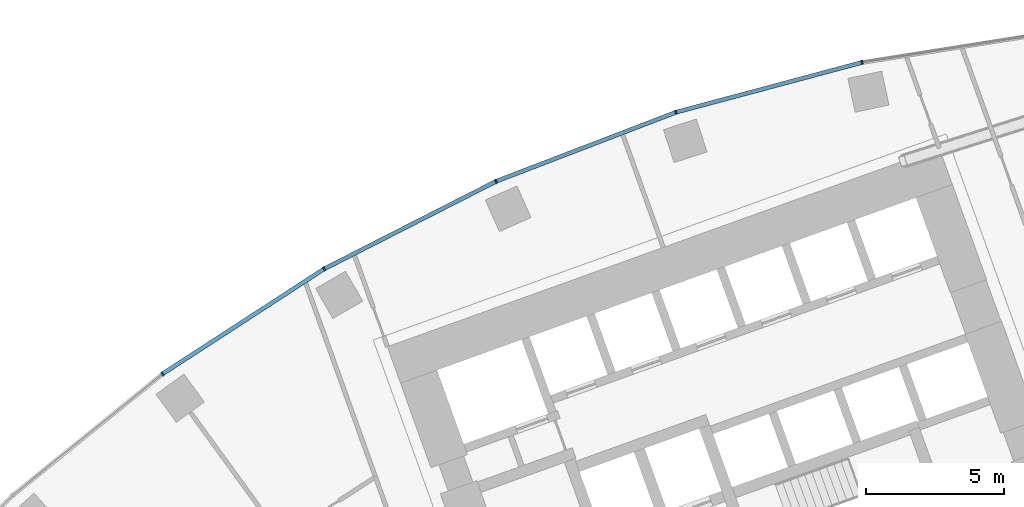
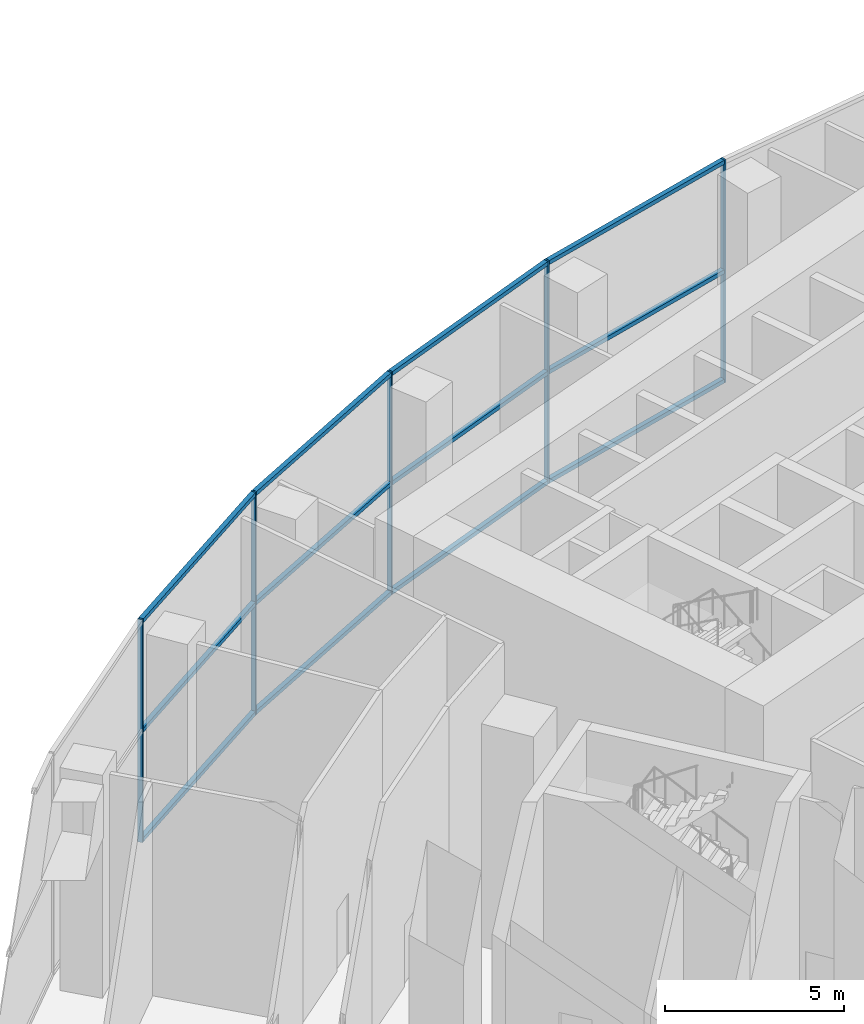
# One storey, part 7 of 33: 17 members, 1 element without a shape of its own.
"""IFC4 building model written with IfcOpenShell, lengths in metres."""

import ifcopenshell
import ifcopenshell.guid

model = None  # the IFC model being written
_history = None  # IfcOwnerHistory: only IFC2X3 demands one
_inside = {}  # id of a spatial element -> (the spatial element, [elements in it])
_under = {}  # id of a project, library or spatial element -> (it, [spatial elements below it])
_declared = {}  # id of a project -> (the project, [libraries it declares])
_typed = {}  # id of a type object -> (the type object, [elements of that type])
_made_of = {}  # id of a material, layer set ... -> (it, [elements and type objects made of it])


def new_model(schema):
    """Start an empty IFC model of exactly this schema.

    Asked for "IFC4X3", IfcOpenShell would pick the latest addendum, in which some entities
    have other attributes; the version numbers below select the first issue.
    IFC2X3 requires an IfcOwnerHistory on every rooted entity: one is made here for all.
    """
    global model, _history
    if schema == "IFC4X3":
        model = ifcopenshell.file(schema_version=(4, 3, 0, 0))
    else:
        model = ifcopenshell.file(schema=schema)
    _inside.clear()
    _under.clear()
    _declared.clear()
    _typed.clear()
    _made_of.clear()
    _history = None
    if model.schema == "IFC2X3":
        org = make("IfcOrganization", Name="unknown")
        user = make(
            "IfcPersonAndOrganization",
            ThePerson=make("IfcPerson", FamilyName="unknown"),
            TheOrganization=org,
        )
        app = make(
            "IfcApplication",
            ApplicationDeveloper=org,
            Version="unknown",
            ApplicationFullName="unknown",
            ApplicationIdentifier="unknown",
        )
        _history = make(
            "IfcOwnerHistory",
            OwningUser=user,
            OwningApplication=app,
            ChangeAction="ADDED",
            CreationDate=0,
        )
    return model


def make(cls, **values):
    """One entity of the class cls with the attributes given. An attribute that is None is left unset."""
    return model.create_entity(
        cls, **{name: value for name, value in values.items() if value is not None}
    )


def rooted(cls, **values):
    """An entity with a GlobalId (a new one), such as an element, a storey or a relation."""
    return make(cls, GlobalId=ifcopenshell.guid.new(), OwnerHistory=_history, **values)


def si_unit(unit_type, name, prefix=None):
    """IfcSIUnit, for example si_unit("LENGTHUNIT", "METRE", prefix="MILLI")."""
    return make("IfcSIUnit", UnitType=unit_type, Prefix=prefix, Name=name)


def assignment(units):
    """IfcUnitAssignment: the units of a project."""
    return None if units is None else make("IfcUnitAssignment", Units=units)


def point(xyz):
    """IfcCartesianPoint."""
    return None if xyz is None else make("IfcCartesianPoint", Coordinates=xyz)


def direction(xyz):
    """IfcDirection."""
    return None if xyz is None else make("IfcDirection", DirectionRatios=xyz)


def frame(location, z_axis=None, x_axis=None):
    """IfcAxis2Placement3D, a coordinate frame: its origin and axes. An axis left out is left unset."""
    return make(
        "IfcAxis2Placement3D",
        Location=point(location),
        Axis=direction(z_axis),
        RefDirection=direction(x_axis),
    )


def frame_2d(location, x_axis=None):
    """IfcAxis2Placement2D, a coordinate frame in the plane: its origin and x axis."""
    return make(
        "IfcAxis2Placement2D", Location=point(location), RefDirection=direction(x_axis)
    )


def origin():
    """The frame at (0, 0, 0) with its axes left unset."""
    return frame((0.0, 0.0, 0.0))


def origin_2d():
    """The frame at (0, 0) in the plane with its x axis left unset."""
    return frame_2d((0.0, 0.0))


def place(relative_to, where):
    """IfcLocalPlacement: puts the frame where relative to a parent placement (None: the world)."""
    return make(
        "IfcLocalPlacement", PlacementRelTo=relative_to, RelativePlacement=where
    )


def context(
    kind, dimensions, precision=None, world=None, true_north=None, identifier=None
):
    """IfcGeometricRepresentationContext, for example the 3D "Model" context."""
    return make(
        "IfcGeometricRepresentationContext",
        ContextIdentifier=identifier,
        ContextType=kind,
        CoordinateSpaceDimension=dimensions,
        Precision=precision,
        WorldCoordinateSystem=world,
        TrueNorth=true_north,
    )


def subcontext(parent, identifier, kind, view, scale=None):
    """IfcGeometricRepresentationSubContext, for example "Body" below "Model"."""
    return make(
        "IfcGeometricRepresentationSubContext",
        ContextIdentifier=identifier,
        ContextType=kind,
        ParentContext=parent,
        TargetScale=scale,
        TargetView=view,
    )


def project(units=None, contexts=None):
    """IfcProject with its units and contexts."""
    return rooted(
        "IfcProject",
        Name="project",
        RepresentationContexts=contexts,
        UnitsInContext=assignment(units),
    )


def spatial(cls, under=None, at=None, **own):
    """A site, building, storey or space (cls), placed at a placement, below another one or the project."""
    s = rooted(cls, ObjectPlacement=at, **own)
    if under is not None:
        _under.setdefault(under.id(), (under, []))[1].append(s)
    return s


def profile(cls, at=None, kind="AREA", **sizes):
    """A parametric profile (cls). Its sizes go by their IFC names, for example OverallWidth=200.0."""
    return make(cls, ProfileType=kind, Position=at, **sizes)


def rectangle(**sizes):
    """IfcRectangleProfileDef."""
    return profile("IfcRectangleProfileDef", **sizes)


def extrude(swept, where, along, depth):
    """IfcExtrudedAreaSolid: the profile swept, set in the frame where, extruded along a direction by depth."""
    return make(
        "IfcExtrudedAreaSolid",
        SweptArea=swept,
        Position=where,
        ExtrudedDirection=direction(along),
        Depth=depth,
    )


def shape(context_of_items, identifier, shape_type, items):
    """IfcShapeRepresentation: the items that make up one representation, for example the "Body"."""
    return make(
        "IfcShapeRepresentation",
        ContextOfItems=context_of_items,
        RepresentationIdentifier=identifier,
        RepresentationType=shape_type,
        Items=items,
    )


def material(Name=None, Category=None):
    """IfcMaterial."""
    return make("IfcMaterial", Name=Name, Category=Category)


def layer(
    of_material, thickness, ventilated=None, Name=None, Category=None, Priority=None
):
    """IfcMaterialLayer: one layer of a wall or slab, of a material (None: an air gap)."""
    return make(
        "IfcMaterialLayer",
        Material=of_material,
        LayerThickness=thickness,
        IsVentilated=ventilated,
        Name=Name,
        Category=Category,
        Priority=Priority,
    )


def layer_set(layers, Name=None):
    """IfcMaterialLayerSet."""
    return make("IfcMaterialLayerSet", MaterialLayers=layers, LayerSetName=Name)


def material_profile(
    of_material, cross_section, Name=None, Category=None, Priority=None
):
    """IfcMaterialProfile: a cross section and its material."""
    return make(
        "IfcMaterialProfile",
        Name=Name,
        Material=of_material,
        Profile=cross_section,
        Priority=Priority,
        Category=Category,
    )


def profile_set(profiles, Name=None, composite=None):
    """IfcMaterialProfileSet."""
    return make(
        "IfcMaterialProfileSet",
        Name=Name,
        MaterialProfiles=profiles,
        CompositeProfile=composite,
    )


def made_of(thing, what):
    """Note that an element or type object is made of a material, layer set ...; save() writes the relation."""
    if what is not None:
        _made_of.setdefault(what.id(), (what, []))[1].append(thing)
    return thing


def type_object(cls, material=None, **own):
    """A type object (cls), such as IfcWallType, which elements share."""
    return made_of(rooted(cls, **own), material)


def element(
    cls,
    number,
    at=None,
    inside=None,
    cuts=None,
    type_object=None,
    material=None,
    context=None,
    identifier="Body",
    shape_type=None,
    held_by="IfcProductDefinitionShape",
    body=None,
    shapes=None,
    **own,
):
    """One element of the class cls, such as IfcWall. Its Tag is "e" and its number.

    at: its placement. inside: the storey or other place that contains it. cuts: it is an
    opening in that element (IfcRelVoidsElement). A single representation is given by context,
    identifier, shape_type and body (its items); several are given by shapes. held_by: the class
    of the entity that holds the representations. save() writes the other relations.
    """
    e = rooted(cls, Tag="e%d" % number, ObjectPlacement=at, **own)
    if body is not None:
        shapes = [shape(context, identifier, shape_type, body)]
    if shapes is not None:
        e.Representation = make(held_by, Representations=shapes)
    if inside is not None:
        _inside.setdefault(inside.id(), (inside, []))[1].append(e)
    if cuts is not None:
        rooted(
            "IfcRelVoidsElement", RelatingBuildingElement=cuts, RelatedOpeningElement=e
        )
    if type_object is not None:
        _typed.setdefault(type_object.id(), (type_object, []))[1].append(e)
    return made_of(e, material)


def aggregate(whole, parts):
    """IfcRelAggregates: a whole, such as a stair, and the parts it consists of."""
    return rooted("IfcRelAggregates", RelatingObject=whole, RelatedObjects=parts)


def save(model, path):
    """Write the relations noted so far, then the file.

    IfcRelAggregates (storeys below a building ...), IfcRelContainedInSpatialStructure (elements
    in a storey), IfcRelDefinesByType, IfcRelAssociatesMaterial and IfcRelDeclares: one each for
    every whole, place, type object, material and project.
    """
    for whole, parts in _under.values():
        aggregate(whole, parts)
    for where, things in _inside.values():
        rooted(
            "IfcRelContainedInSpatialStructure",
            RelatedElements=things,
            RelatingStructure=where,
        )
    for kind, things in _typed.values():
        rooted("IfcRelDefinesByType", RelatedObjects=things, RelatingType=kind)
    for what, things in _made_of.values():
        rooted("IfcRelAssociatesMaterial", RelatedObjects=things, RelatingMaterial=what)
    for by, libraries in _declared.values():
        rooted("IfcRelDeclares", RelatingContext=by, RelatedDefinitions=libraries)
    model.write(path)


model = new_model("IFC4")

# Units and contexts
model_context = context("Model", 3, precision=1e-05, world=origin(), true_north=direction((0.0, 1.0)))
body_context = subcontext(model_context, "Body", "Model", "MODEL_VIEW")
ifc_project = project(units=[si_unit("LENGTHUNIT", "METRE"), si_unit("AREAUNIT", "SQUARE_METRE"), si_unit("VOLUMEUNIT", "CUBIC_METRE"), si_unit("PLANEANGLEUNIT", "RADIAN"), si_unit("MASSUNIT", "GRAM", prefix="KILO")], contexts=[model_context])

# Site, building, storey
site_placement = place(None, origin())
site = spatial("IfcSite", under=ifc_project, at=site_placement, CompositionType="ELEMENT")
building_placement = place(site_placement, origin())
building = spatial("IfcBuilding", under=site, at=building_placement, Name="Stone Belt Terrace Tower", CompositionType="ELEMENT")
storey_placement = place(building_placement, frame((0.0, 0.0, 79.39990234375)))
storey = spatial("IfcBuildingStorey", under=building, at=storey_placement, Name="L19", CompositionType="ELEMENT", Elevation=79.39990234375)

# Curtain wall, members
ifc_material = material(Name="Aluminium 6063-T6 anodised frame", Category="aluminium")
ifc_layer = layer(ifc_material, 0.14990234375)
ifc_layer_set = layer_set([ifc_layer], Name="CW-A unitised convex-face curtain wall")
curtain_wall_type = type_object("IfcCurtainWallType", Name="CW-A unitised convex-face curtain wall", PredefinedType="NOTDEFINED", material=ifc_layer_set)
curtain_wall_placement = place(storey_placement, origin())
curtain_wall = element("IfcCurtainWall", 1, at=curtain_wall_placement, inside=storey, type_object=curtain_wall_type, Name="CW-A convex face L19", PredefinedType="NOTDEFINED")
ifc_material_profile_1 = material_profile(ifc_material, rectangle(XDim=0.14990234375, YDim=0.06005859375, at=origin_2d()), Name="Aluminium 6063-T6 60x150")
ifc_profile_set_1 = profile_set([ifc_material_profile_1], Name="Aluminium 6063-T6 anodised frame")
member_type_1 = type_object("IfcMemberType", Name="CW-A mullion 60 x 150", PredefinedType="MULLION", material=ifc_profile_set_1)
member_1_placement = place(storey_placement, frame((-13.841796875, 65.120361328125, 0.0), z_axis=(0.0, 0.0, 1.0), x_axis=(0.207911690818, -0.978147600734, 0.0)))
member_1 = element("IfcMember", 2, at=member_1_placement, type_object=member_type_1, Name="CW-A mullion 12", PredefinedType="MULLION", context=body_context, shape_type="SweptSolid", body=[
    extrude(rectangle(XDim=0.14990234375, YDim=0.06005859375, at=origin_2d()), origin(), (0.0, 0.0, 1.0), 7.60009765625),
])
member_2_placement = place(storey_placement, frame((-20.57275390625, 63.316650390625, 0.0), z_axis=(0.0, 0.0, 1.0), x_axis=(0.309016994375, -0.951056516295, 0.0)))
member_2 = element("IfcMember", 3, at=member_2_placement, type_object=member_type_1, Name="CW-A mullion 13", PredefinedType="MULLION", context=body_context, shape_type="SweptSolid", body=[
    extrude(rectangle(XDim=0.14990234375, YDim=0.06005859375, at=origin_2d()), origin(), (0.0, 0.0, 1.0), 7.60009765625),
])
member_3_placement = place(storey_placement, frame((-27.07861328125, 60.8193359375, 0.0), z_axis=(0.0, 0.0, 1.0), x_axis=(0.406736643076, -0.913545457643, 0.0)))
member_3 = element("IfcMember", 4, at=member_3_placement, type_object=member_type_1, Name="CW-A mullion 14", PredefinedType="MULLION", context=body_context, shape_type="SweptSolid", body=[
    extrude(rectangle(XDim=0.14990234375, YDim=0.06005859375, at=origin_2d()), origin(), (0.0, 0.0, 1.0), 7.60009765625),
])
member_4_placement = place(storey_placement, frame((-33.28759765625, 57.65576171875, 0.0), z_axis=(0.0, 0.0, 1.0), x_axis=(0.5, -0.866025403784, 0.0)))
member_4 = element("IfcMember", 5, at=member_4_placement, type_object=member_type_1, Name="CW-A mullion 15", PredefinedType="MULLION", context=body_context, shape_type="SweptSolid", body=[
    extrude(rectangle(XDim=0.14990234375, YDim=0.06005859375, at=origin_2d()), origin(), (0.0, 0.0, 1.0), 7.60009765625),
])
member_5_placement = place(storey_placement, frame((-39.1318359375, 53.8603515625, 0.0), z_axis=(0.0, 0.0, 1.0), x_axis=(0.587785252292, -0.809016994375, 0.0)))
member_5 = element("IfcMember", 6, at=member_5_placement, type_object=member_type_1, Name="CW-A mullion 16", PredefinedType="MULLION", context=body_context, shape_type="SweptSolid", body=[
    extrude(rectangle(XDim=0.14990234375, YDim=0.06005859375, at=origin_2d()), origin(), (0.0, 0.0, 1.0), 7.60009765625),
])
ifc_material_profile_2 = material_profile(ifc_material, rectangle(XDim=0.14990234375, YDim=0.139892578125, at=origin_2d()), Name="Aluminium 6063-T6 150x140")
ifc_profile_set_2 = profile_set([ifc_material_profile_2], Name="Aluminium 6063-T6 anodised frame")
member_type_2 = type_object("IfcMemberType", Name="CW-A transom 140 x 150", PredefinedType="USERDEFINED", material=ifc_profile_set_2)
member_6_placement = place(storey_placement, frame((-13.87451171875, 65.111572265625, 0.070068359375), z_axis=(-0.965921835863, -0.258833937117, 0.0), x_axis=(0.258833937117, -0.965921835863, 0.0)))
member_6 = element("IfcMember", 7, at=member_6_placement, type_object=member_type_2, Name="CW-A transom 12.1", ObjectType="TRANSOM", PredefinedType="USERDEFINED", context=body_context, shape_type="SweptSolid", body=[
    extrude(rectangle(XDim=0.14990234375, YDim=0.139892578125, at=origin_2d()), origin(), (0.0, 0.0, 1.0), 6.900634765625),
])
member_7_placement = place(storey_placement, frame((-13.87451171875, 65.111572265625, 3.800048828125), z_axis=(-0.965921835863, -0.258833937117, 0.0), x_axis=(0.258833937117, -0.965921835863, 0.0)))
member_7 = element("IfcMember", 8, at=member_7_placement, type_object=member_type_2, Name="CW-A transom 12.2", ObjectType="TRANSOM", PredefinedType="USERDEFINED", context=body_context, shape_type="SweptSolid", body=[
    extrude(rectangle(XDim=0.14990234375, YDim=0.139892578125, at=origin_2d()), origin(), (0.0, 0.0, 1.0), 6.900634765625),
])
member_8_placement = place(storey_placement, frame((-13.87451171875, 65.111572265625, 7.530029296875), z_axis=(-0.965921835863, -0.258833937117, 0.0), x_axis=(0.258833937117, -0.965921835863, 0.0)))
member_8 = element("IfcMember", 9, at=member_8_placement, type_object=member_type_2, Name="CW-A transom 12.3", ObjectType="TRANSOM", PredefinedType="USERDEFINED", context=body_context, shape_type="SweptSolid", body=[
    extrude(rectangle(XDim=0.14990234375, YDim=0.139892578125, at=origin_2d()), origin(), (0.0, 0.0, 1.0), 6.900634765625),
])
member_9_placement = place(storey_placement, frame((-20.6044921875, 63.304443359375, 0.070068359375), z_axis=(-0.933585210269, -0.358355487146, 0.0), x_axis=(0.358355487146, -0.933585210269, 0.0)))
member_9 = element("IfcMember", 10, at=member_9_placement, type_object=member_type_2, Name="CW-A transom 13.1", ObjectType="TRANSOM", PredefinedType="USERDEFINED", context=body_context, shape_type="SweptSolid", body=[
    extrude(rectangle(XDim=0.14990234375, YDim=0.139892578125, at=origin_2d()), origin(), (0.0, 0.0, 1.0), 6.900634765625),
])
member_10_placement = place(storey_placement, frame((-20.6044921875, 63.304443359375, 3.800048828125), z_axis=(-0.933585210269, -0.358355487146, 0.0), x_axis=(0.358355487146, -0.933585210269, 0.0)))
member_10 = element("IfcMember", 11, at=member_10_placement, type_object=member_type_2, Name="CW-A transom 13.2", ObjectType="TRANSOM", PredefinedType="USERDEFINED", context=body_context, shape_type="SweptSolid", body=[
    extrude(rectangle(XDim=0.14990234375, YDim=0.139892578125, at=origin_2d()), origin(), (0.0, 0.0, 1.0), 6.900634765625),
])
member_11_placement = place(storey_placement, frame((-20.6044921875, 63.304443359375, 7.530029296875), z_axis=(-0.933585210269, -0.358355487146, 0.0), x_axis=(0.358355487146, -0.933585210269, 0.0)))
member_11 = element("IfcMember", 12, at=member_11_placement, type_object=member_type_2, Name="CW-A transom 13.3", ObjectType="TRANSOM", PredefinedType="USERDEFINED", context=body_context, shape_type="SweptSolid", body=[
    extrude(rectangle(XDim=0.14990234375, YDim=0.139892578125, at=origin_2d()), origin(), (0.0, 0.0, 1.0), 6.900634765625),
])
member_12_placement = place(storey_placement, frame((-27.108642578125, 60.803955078125, 0.070068359375), z_axis=(-0.891012226264, -0.453979308613, 0.0), x_axis=(0.453979308613, -0.891012226264, 0.0)))
member_12 = element("IfcMember", 13, at=member_12_placement, type_object=member_type_2, Name="CW-A transom 14.1", ObjectType="TRANSOM", PredefinedType="USERDEFINED", context=body_context, shape_type="SweptSolid", body=[
    extrude(rectangle(XDim=0.14990234375, YDim=0.139892578125, at=origin_2d()), origin(), (0.0, 0.0, 1.0), 6.90087890625),
])
member_13_placement = place(storey_placement, frame((-27.108642578125, 60.803955078125, 3.800048828125), z_axis=(-0.891012226264, -0.453979308613, 0.0), x_axis=(0.453979308613, -0.891012226264, 0.0)))
member_13 = element("IfcMember", 14, at=member_13_placement, type_object=member_type_2, Name="CW-A transom 14.2", ObjectType="TRANSOM", PredefinedType="USERDEFINED", context=body_context, shape_type="SweptSolid", body=[
    extrude(rectangle(XDim=0.14990234375, YDim=0.139892578125, at=origin_2d()), origin(), (0.0, 0.0, 1.0), 6.90087890625),
])
member_14_placement = place(storey_placement, frame((-27.108642578125, 60.803955078125, 7.530029296875), z_axis=(-0.891012226264, -0.453979308613, 0.0), x_axis=(0.453979308613, -0.891012226264, 0.0)))
member_14 = element("IfcMember", 15, at=member_14_placement, type_object=member_type_2, Name="CW-A transom 14.3", ObjectType="TRANSOM", PredefinedType="USERDEFINED", context=body_context, shape_type="SweptSolid", body=[
    extrude(rectangle(XDim=0.14990234375, YDim=0.139892578125, at=origin_2d()), origin(), (0.0, 0.0, 1.0), 6.90087890625),
])
member_15_placement = place(storey_placement, frame((-33.31591796875, 57.63720703125, 0.070068359375), z_axis=(-0.83868440714, -0.544617723931, 0.0), x_axis=(0.544617723931, -0.83868440714, 0.0)))
member_15 = element("IfcMember", 16, at=member_15_placement, type_object=member_type_2, Name="CW-A transom 15.1", ObjectType="TRANSOM", PredefinedType="USERDEFINED", context=body_context, shape_type="SweptSolid", body=[
    extrude(rectangle(XDim=0.14990234375, YDim=0.139892578125, at=origin_2d()), origin(), (0.0, 0.0, 1.0), 6.90087890625),
])
member_16_placement = place(storey_placement, frame((-33.31591796875, 57.63720703125, 3.800048828125), z_axis=(-0.83868440714, -0.544617723931, 0.0), x_axis=(0.544617723931, -0.83868440714, 0.0)))
member_16 = element("IfcMember", 17, at=member_16_placement, type_object=member_type_2, Name="CW-A transom 15.2", ObjectType="TRANSOM", PredefinedType="USERDEFINED", context=body_context, shape_type="SweptSolid", body=[
    extrude(rectangle(XDim=0.14990234375, YDim=0.139892578125, at=origin_2d()), origin(), (0.0, 0.0, 1.0), 6.90087890625),
])
member_17_placement = place(storey_placement, frame((-33.31591796875, 57.63720703125, 7.530029296875), z_axis=(-0.83868440714, -0.544617723931, 0.0), x_axis=(0.544617723931, -0.83868440714, 0.0)))
member_17 = element("IfcMember", 18, at=member_17_placement, type_object=member_type_2, Name="CW-A transom 15.3", ObjectType="TRANSOM", PredefinedType="USERDEFINED", context=body_context, shape_type="SweptSolid", body=[
    extrude(rectangle(XDim=0.14990234375, YDim=0.139892578125, at=origin_2d()), origin(), (0.0, 0.0, 1.0), 6.90087890625),
])
aggregate(curtain_wall, [member_1, member_2, member_3, member_4, member_5, member_6, member_7, member_8, member_9, member_10, member_11, member_12, member_13, member_14, member_15, member_16, member_17])

save(model, "model.ifc")
